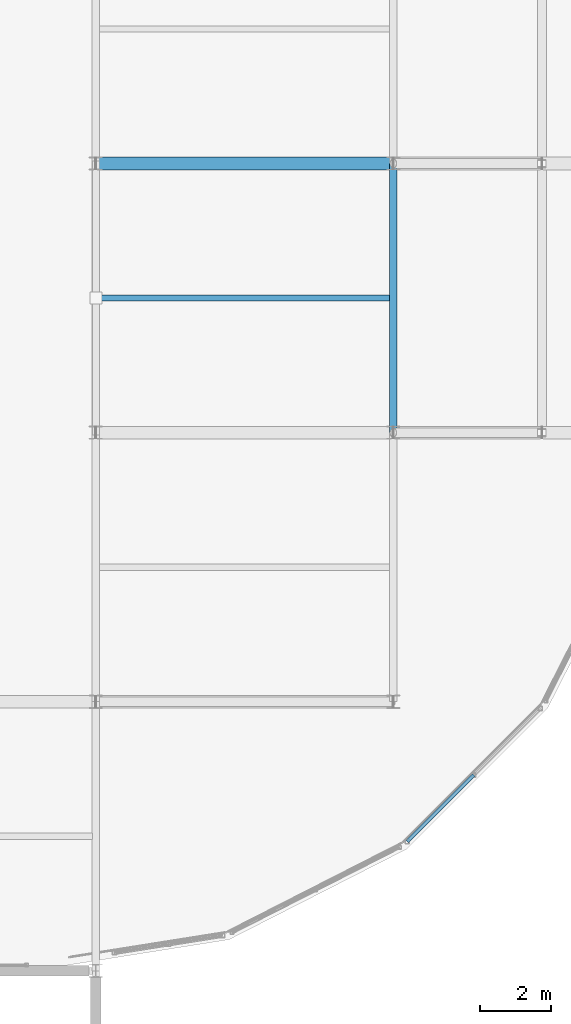
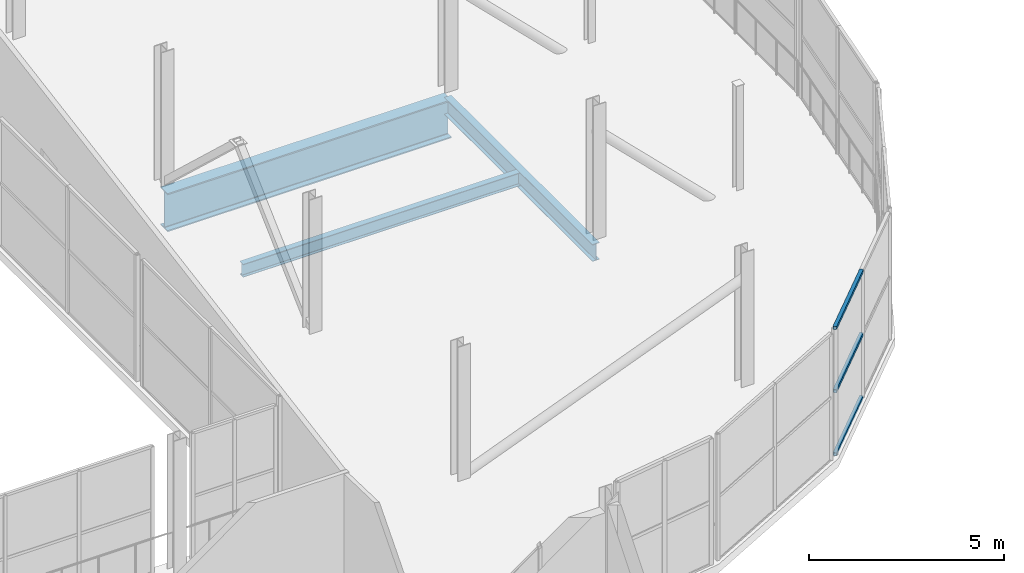
# One storey, part 148 of 217: 3 beams, 3 members, 1 element without a shape of its own.
"""IFC4 building model written with IfcOpenShell, lengths in metres."""

from ifc_helpers import new_model, si_unit, direction, frame, origin, origin_2d, place, context, subcontext, project, spatial, hollow_rectangle, i_section, extrude, material, material_profile, profile_set, type_object, element, aggregate, save


model = new_model("IFC4")

# Units and contexts
model_context = context("Model", 3, precision=1e-05, world=origin(), true_north=direction((0.0, 1.0)))
body_context = subcontext(model_context, "Body", "Model", "MODEL_VIEW")
ifc_project = project(units=[si_unit("LENGTHUNIT", "METRE"), si_unit("AREAUNIT", "SQUARE_METRE"), si_unit("VOLUMEUNIT", "CUBIC_METRE"), si_unit("PLANEANGLEUNIT", "RADIAN"), si_unit("MASSUNIT", "GRAM", prefix="KILO")], contexts=[model_context])

# Site, building, storey
site_placement = place(None, origin())
site = spatial("IfcSite", under=ifc_project, at=site_placement, CompositionType="ELEMENT")
building_placement = place(site_placement, origin())
building = spatial("IfcBuilding", under=site, at=building_placement, Name="Zuvorla Pavilion Media Centre", CompositionType="ELEMENT")
storey_placement = place(building_placement, frame((0.0, 0.0, 9.60009765625)))
storey = spatial("IfcBuildingStorey", under=building, at=storey_placement, Name="L02", CompositionType="ELEMENT", Elevation=9.60009765625)

# Beams
ifc_material_1 = material(Name="Steel S355", Category="steel")
ifc_material_profile_1 = material_profile(ifc_material_1, i_section(OverallWidth=0.360107421875, OverallDepth=1.199951171875, WebThickness=0.02001953125, FlangeThickness=0.0380859375, FilletRadius=0.02392578125, at=origin_2d()), Name="PG 1200x360x38")
ifc_profile_set_1 = profile_set([ifc_material_profile_1], Name="Steel S355")
beam_type_1 = type_object("IfcBeamType", Name="BM-PG1200", PredefinedType="BEAM", material=ifc_profile_set_1)
beam_1_placement = place(storey_placement, frame((159.199951171875, 66.800048828125, -0.8681640625), z_axis=(1.0, 0.0, 0.0), x_axis=(0.0, 1.0, 0.0)))
element("IfcBeam", 1, at=beam_1_placement, inside=storey, type_object=beam_type_1, Name="L02 beam B01 1674", PredefinedType="BEAM", context=body_context, shape_type="SweptSolid", body=[
    extrude(i_section(OverallWidth=0.360107421875, OverallDepth=1.199951171875, WebThickness=0.02001953125, FlangeThickness=0.0380859375, FilletRadius=0.02392578125, at=origin_2d()), origin(), (0.0, 0.0, 1.0), 8.400146484375),
])
ifc_material_profile_2 = material_profile(ifc_material_1, i_section(OverallWidth=0.1787109375, OverallDepth=0.409423828125, WebThickness=0.0087890625, FlangeThickness=0.014404296875, FilletRadius=0.01025390625, at=origin_2d()), Name="UB 406x178x67")
ifc_profile_set_2 = profile_set([ifc_material_profile_2], Name="Steel S355")
beam_type_2 = type_object("IfcBeamType", Name="BM-UB406", PredefinedType="JOIST", material=ifc_profile_set_2)
beam_2_placement = place(storey_placement, frame((159.300048828125, 63.0, -0.472900390625), z_axis=(1.0, 0.0, 0.0), x_axis=(0.0, 1.0, 0.0)))
element("IfcBeam", 2, at=beam_2_placement, inside=storey, type_object=beam_type_2, Name="L02 joist J02 1043", PredefinedType="JOIST", context=body_context, shape_type="SweptSolid", body=[
    extrude(i_section(OverallWidth=0.1787109375, OverallDepth=0.409423828125, WebThickness=0.0087890625, FlangeThickness=0.014404296875, FilletRadius=0.01025390625, at=origin_2d()), origin(), (0.0, 0.0, 1.0), 8.199951171875),
])
ifc_material_profile_3 = material_profile(ifc_material_1, i_section(OverallWidth=0.2099609375, OverallDepth=0.53662109375, WebThickness=0.0107421875, FlangeThickness=0.017333984375, FilletRadius=0.0126953125, at=origin_2d()), Name="UB 533x210x101")
ifc_profile_set_3 = profile_set([ifc_material_profile_3], Name="Steel S355")
beam_type_3 = type_object("IfcBeamType", Name="BM-UB533", PredefinedType="BEAM", material=ifc_profile_set_3)
beam_3_placement = place(storey_placement, frame((167.60009765625, 59.199951171875, -0.536376953125), z_axis=(0.0, 1.0, 0.0), x_axis=(-1.0, 0.0, 0.0)))
element("IfcBeam", 3, at=beam_3_placement, inside=storey, type_object=beam_type_3, Name="L02 beam B08 978", PredefinedType="BEAM", context=body_context, shape_type="SweptSolid", body=[
    extrude(i_section(OverallWidth=0.2099609375, OverallDepth=0.53662109375, WebThickness=0.0107421875, FlangeThickness=0.017333984375, FilletRadius=0.0126953125, at=origin_2d()), origin(), (0.0, 0.0, 1.0), 7.60009765625),
])

# Curtain wall, members
ifc_material_2 = material(Name="Unitised anodised aluminium and solar glass curtain wall", Category="aluminium")
curtain_wall_type = type_object("IfcCurtainWallType", Name="CW-SYS-03", PredefinedType="USERDEFINED", material=ifc_material_2)
curtain_wall_placement = place(storey_placement, origin())
curtain_wall = element("IfcCurtainWall", 4, at=curtain_wall_placement, inside=storey, type_object=curtain_wall_type, Name="L02 curtain wall CW03 3", ObjectType="CURTAIN WALL", PredefinedType="USERDEFINED")
ifc_material_3 = material(Name="Anodised aluminium 6063-T6", Category="aluminium")
ifc_material_profile_4 = material_profile(ifc_material_3, hollow_rectangle(XDim=0.10009765625, YDim=0.10009765625, WallThickness=0.00439453125, at=origin_2d()), Name="ALU TRAN 100x100")
ifc_profile_set_4 = profile_set([ifc_material_profile_4], Name="Anodised aluminium 6063-T6")
member_type = type_object("IfcMemberType", Name="CW-TRAN-100", PredefinedType="USERDEFINED", material=ifc_profile_set_4)
member_1_placement = place(storey_placement, frame((167.994140625, 47.64990234375, 0.0), z_axis=(0.707152740485, 0.707060818901, 0.0), x_axis=(-0.707060818901, 0.707152740485, 0.0)))
member_1 = element("IfcMember", 5, at=member_1_placement, type_object=member_type, Name="CW03 transom 1.1", ObjectType="TRANSOM", PredefinedType="USERDEFINED", context=body_context, shape_type="SweptSolid", body=[
    extrude(hollow_rectangle(XDim=0.10009765625, YDim=0.10009765625, WallThickness=0.00439453125, at=origin_2d()), origin(), (0.0, 0.0, 1.0), 2.656005859375),
])
member_2_placement = place(storey_placement, frame((167.994140625, 47.64990234375, 1.974853515625), z_axis=(0.707152740485, 0.707060818901, 0.0), x_axis=(-0.707060818901, 0.707152740485, 0.0)))
member_2 = element("IfcMember", 6, at=member_2_placement, type_object=member_type, Name="CW03 transom 1.2", ObjectType="TRANSOM", PredefinedType="USERDEFINED", context=body_context, shape_type="SweptSolid", body=[
    extrude(hollow_rectangle(XDim=0.10009765625, YDim=0.10009765625, WallThickness=0.00439453125, at=origin_2d()), origin(), (0.0, 0.0, 1.0), 2.656005859375),
])
member_3_placement = place(storey_placement, frame((167.994140625, 47.64990234375, 3.949951171875), z_axis=(0.707152740485, 0.707060818901, 0.0), x_axis=(-0.707060818901, 0.707152740485, 0.0)))
member_3 = element("IfcMember", 7, at=member_3_placement, type_object=member_type, Name="CW03 transom 1.3", ObjectType="TRANSOM", PredefinedType="USERDEFINED", context=body_context, shape_type="SweptSolid", body=[
    extrude(hollow_rectangle(XDim=0.10009765625, YDim=0.10009765625, WallThickness=0.00439453125, at=origin_2d()), origin(), (0.0, 0.0, 1.0), 2.656005859375),
])
aggregate(curtain_wall, [member_1, member_2, member_3])

save(model, "model.ifc")
